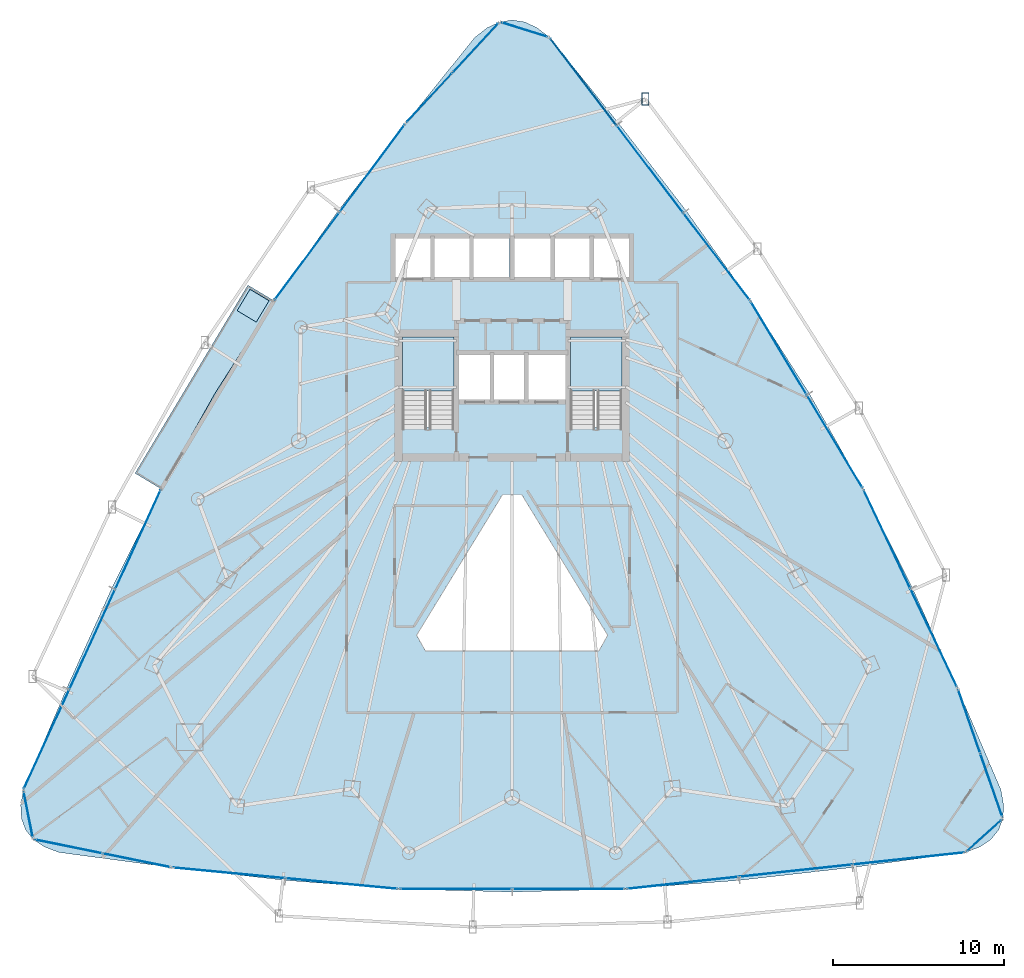
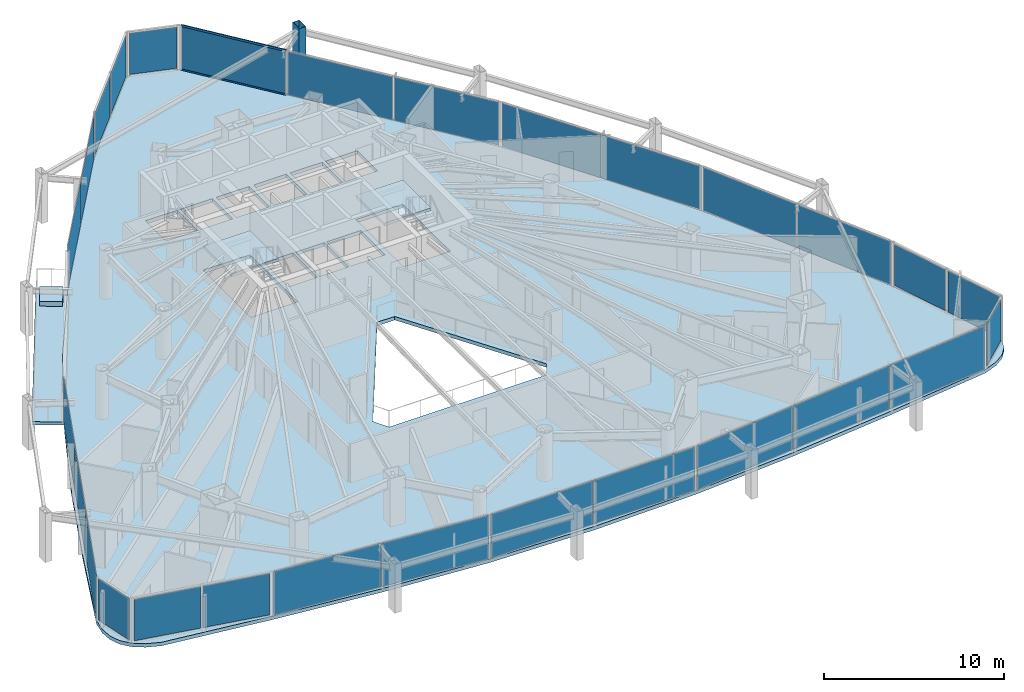
# One storey, part 31 of 38: 28 plates, 5 slabs, 3 members, 16 elements without a shape of their own.
"""IFC4 building model written with IfcOpenShell, lengths in metres."""

import ifcopenshell
import ifcopenshell.guid

model = None  # the IFC model being written
_history = None  # IfcOwnerHistory: only IFC2X3 demands one
_inside = {}  # id of a spatial element -> (the spatial element, [elements in it])
_under = {}  # id of a project, library or spatial element -> (it, [spatial elements below it])
_declared = {}  # id of a project -> (the project, [libraries it declares])
_typed = {}  # id of a type object -> (the type object, [elements of that type])
_made_of = {}  # id of a material, layer set ... -> (it, [elements and type objects made of it])


def new_model(schema):
    """Start an empty IFC model of exactly this schema.

    Asked for "IFC4X3", IfcOpenShell would pick the latest addendum, in which some entities
    have other attributes; the version numbers below select the first issue.
    IFC2X3 requires an IfcOwnerHistory on every rooted entity: one is made here for all.
    """
    global model, _history
    if schema == "IFC4X3":
        model = ifcopenshell.file(schema_version=(4, 3, 0, 0))
    else:
        model = ifcopenshell.file(schema=schema)
    _inside.clear()
    _under.clear()
    _declared.clear()
    _typed.clear()
    _made_of.clear()
    _history = None
    if model.schema == "IFC2X3":
        org = make("IfcOrganization", Name="unknown")
        user = make(
            "IfcPersonAndOrganization",
            ThePerson=make("IfcPerson", FamilyName="unknown"),
            TheOrganization=org,
        )
        app = make(
            "IfcApplication",
            ApplicationDeveloper=org,
            Version="unknown",
            ApplicationFullName="unknown",
            ApplicationIdentifier="unknown",
        )
        _history = make(
            "IfcOwnerHistory",
            OwningUser=user,
            OwningApplication=app,
            ChangeAction="ADDED",
            CreationDate=0,
        )
    return model


def make(cls, **values):
    """One entity of the class cls with the attributes given. An attribute that is None is left unset."""
    return model.create_entity(
        cls, **{name: value for name, value in values.items() if value is not None}
    )


def rooted(cls, **values):
    """An entity with a GlobalId (a new one), such as an element, a storey or a relation."""
    return make(cls, GlobalId=ifcopenshell.guid.new(), OwnerHistory=_history, **values)


def si_unit(unit_type, name, prefix=None):
    """IfcSIUnit, for example si_unit("LENGTHUNIT", "METRE", prefix="MILLI")."""
    return make("IfcSIUnit", UnitType=unit_type, Prefix=prefix, Name=name)


def assignment(units):
    """IfcUnitAssignment: the units of a project."""
    return None if units is None else make("IfcUnitAssignment", Units=units)


def point(xyz):
    """IfcCartesianPoint."""
    return None if xyz is None else make("IfcCartesianPoint", Coordinates=xyz)


def direction(xyz):
    """IfcDirection."""
    return None if xyz is None else make("IfcDirection", DirectionRatios=xyz)


def frame(location, z_axis=None, x_axis=None):
    """IfcAxis2Placement3D, a coordinate frame: its origin and axes. An axis left out is left unset."""
    return make(
        "IfcAxis2Placement3D",
        Location=point(location),
        Axis=direction(z_axis),
        RefDirection=direction(x_axis),
    )


def frame_2d(location, x_axis=None):
    """IfcAxis2Placement2D, a coordinate frame in the plane: its origin and x axis."""
    return make(
        "IfcAxis2Placement2D", Location=point(location), RefDirection=direction(x_axis)
    )


def origin():
    """The frame at (0, 0, 0) with its axes left unset."""
    return frame((0.0, 0.0, 0.0))


def origin_2d():
    """The frame at (0, 0) in the plane with its x axis left unset."""
    return frame_2d((0.0, 0.0))


def place(relative_to, where):
    """IfcLocalPlacement: puts the frame where relative to a parent placement (None: the world)."""
    return make(
        "IfcLocalPlacement", PlacementRelTo=relative_to, RelativePlacement=where
    )


def context(
    kind, dimensions, precision=None, world=None, true_north=None, identifier=None
):
    """IfcGeometricRepresentationContext, for example the 3D "Model" context."""
    return make(
        "IfcGeometricRepresentationContext",
        ContextIdentifier=identifier,
        ContextType=kind,
        CoordinateSpaceDimension=dimensions,
        Precision=precision,
        WorldCoordinateSystem=world,
        TrueNorth=true_north,
    )


def subcontext(parent, identifier, kind, view, scale=None):
    """IfcGeometricRepresentationSubContext, for example "Body" below "Model"."""
    return make(
        "IfcGeometricRepresentationSubContext",
        ContextIdentifier=identifier,
        ContextType=kind,
        ParentContext=parent,
        TargetScale=scale,
        TargetView=view,
    )


def project(units=None, contexts=None):
    """IfcProject with its units and contexts."""
    return rooted(
        "IfcProject",
        Name="project",
        RepresentationContexts=contexts,
        UnitsInContext=assignment(units),
    )


def spatial(cls, under=None, at=None, **own):
    """A site, building, storey or space (cls), placed at a placement, below another one or the project."""
    s = rooted(cls, ObjectPlacement=at, **own)
    if under is not None:
        _under.setdefault(under.id(), (under, []))[1].append(s)
    return s


def polyline(points):
    """IfcPolyline through the points."""
    return make("IfcPolyline", Points=[point(p) for p in points])


def profile(cls, at=None, kind="AREA", **sizes):
    """A parametric profile (cls). Its sizes go by their IFC names, for example OverallWidth=200.0."""
    return make(cls, ProfileType=kind, Position=at, **sizes)


def rectangle(**sizes):
    """IfcRectangleProfileDef."""
    return profile("IfcRectangleProfileDef", **sizes)


def hollow_rectangle(**sizes):
    """IfcRectangleHollowProfileDef."""
    return profile("IfcRectangleHollowProfileDef", **sizes)


def outline(outer, holes=None, kind="AREA"):
    """IfcArbitraryClosedProfileDef: a profile drawn as a closed curve; with holes, ...WithVoids."""
    if holes is None:
        return make("IfcArbitraryClosedProfileDef", ProfileType=kind, OuterCurve=outer)
    return make(
        "IfcArbitraryProfileDefWithVoids",
        ProfileType=kind,
        OuterCurve=outer,
        InnerCurves=holes,
    )


def extrude(swept, where, along, depth):
    """IfcExtrudedAreaSolid: the profile swept, set in the frame where, extruded along a direction by depth."""
    return make(
        "IfcExtrudedAreaSolid",
        SweptArea=swept,
        Position=where,
        ExtrudedDirection=direction(along),
        Depth=depth,
    )


def shape(context_of_items, identifier, shape_type, items):
    """IfcShapeRepresentation: the items that make up one representation, for example the "Body"."""
    return make(
        "IfcShapeRepresentation",
        ContextOfItems=context_of_items,
        RepresentationIdentifier=identifier,
        RepresentationType=shape_type,
        Items=items,
    )


def material(Name=None, Category=None):
    """IfcMaterial."""
    return make("IfcMaterial", Name=Name, Category=Category)


def layer(
    of_material, thickness, ventilated=None, Name=None, Category=None, Priority=None
):
    """IfcMaterialLayer: one layer of a wall or slab, of a material (None: an air gap)."""
    return make(
        "IfcMaterialLayer",
        Material=of_material,
        LayerThickness=thickness,
        IsVentilated=ventilated,
        Name=Name,
        Category=Category,
        Priority=Priority,
    )


def layer_set(layers, Name=None):
    """IfcMaterialLayerSet."""
    return make("IfcMaterialLayerSet", MaterialLayers=layers, LayerSetName=Name)


def material_profile(
    of_material, cross_section, Name=None, Category=None, Priority=None
):
    """IfcMaterialProfile: a cross section and its material."""
    return make(
        "IfcMaterialProfile",
        Name=Name,
        Material=of_material,
        Profile=cross_section,
        Priority=Priority,
        Category=Category,
    )


def profile_set(profiles, Name=None, composite=None):
    """IfcMaterialProfileSet."""
    return make(
        "IfcMaterialProfileSet",
        Name=Name,
        MaterialProfiles=profiles,
        CompositeProfile=composite,
    )


def made_of(thing, what):
    """Note that an element or type object is made of a material, layer set ...; save() writes the relation."""
    if what is not None:
        _made_of.setdefault(what.id(), (what, []))[1].append(thing)
    return thing


def type_object(cls, material=None, **own):
    """A type object (cls), such as IfcWallType, which elements share."""
    return made_of(rooted(cls, **own), material)


def element(
    cls,
    number,
    at=None,
    inside=None,
    cuts=None,
    type_object=None,
    material=None,
    context=None,
    identifier="Body",
    shape_type=None,
    held_by="IfcProductDefinitionShape",
    body=None,
    shapes=None,
    **own,
):
    """One element of the class cls, such as IfcWall. Its Tag is "e" and its number.

    at: its placement. inside: the storey or other place that contains it. cuts: it is an
    opening in that element (IfcRelVoidsElement). A single representation is given by context,
    identifier, shape_type and body (its items); several are given by shapes. held_by: the class
    of the entity that holds the representations. save() writes the other relations.
    """
    e = rooted(cls, Tag="e%d" % number, ObjectPlacement=at, **own)
    if body is not None:
        shapes = [shape(context, identifier, shape_type, body)]
    if shapes is not None:
        e.Representation = make(held_by, Representations=shapes)
    if inside is not None:
        _inside.setdefault(inside.id(), (inside, []))[1].append(e)
    if cuts is not None:
        rooted(
            "IfcRelVoidsElement", RelatingBuildingElement=cuts, RelatedOpeningElement=e
        )
    if type_object is not None:
        _typed.setdefault(type_object.id(), (type_object, []))[1].append(e)
    return made_of(e, material)


def aggregate(whole, parts):
    """IfcRelAggregates: a whole, such as a stair, and the parts it consists of."""
    return rooted("IfcRelAggregates", RelatingObject=whole, RelatedObjects=parts)


def save(model, path):
    """Write the relations noted so far, then the file.

    IfcRelAggregates (storeys below a building ...), IfcRelContainedInSpatialStructure (elements
    in a storey), IfcRelDefinesByType, IfcRelAssociatesMaterial and IfcRelDeclares: one each for
    every whole, place, type object, material and project.
    """
    for whole, parts in _under.values():
        aggregate(whole, parts)
    for where, things in _inside.values():
        rooted(
            "IfcRelContainedInSpatialStructure",
            RelatedElements=things,
            RelatingStructure=where,
        )
    for kind, things in _typed.values():
        rooted("IfcRelDefinesByType", RelatedObjects=things, RelatingType=kind)
    for what, things in _made_of.values():
        rooted("IfcRelAssociatesMaterial", RelatedObjects=things, RelatingMaterial=what)
    for by, libraries in _declared.values():
        rooted("IfcRelDeclares", RelatingContext=by, RelatedDefinitions=libraries)
    model.write(path)


model = new_model("IFC4")

# Units and contexts
model_context = context("Model", 3, precision=1e-05, world=origin(), true_north=direction((0.0, 1.0)))
body_context = subcontext(model_context, "Body", "Model", "MODEL_VIEW")
ifc_project = project(units=[si_unit("LENGTHUNIT", "METRE"), si_unit("AREAUNIT", "SQUARE_METRE"), si_unit("VOLUMEUNIT", "CUBIC_METRE"), si_unit("PLANEANGLEUNIT", "RADIAN"), si_unit("MASSUNIT", "GRAM", prefix="KILO")], contexts=[model_context])

# Site, building, storey
site_placement = place(None, origin())
site = spatial("IfcSite", under=ifc_project, at=site_placement, CompositionType="ELEMENT")
building_placement = place(site_placement, origin())
building = spatial("IfcBuilding", under=site, at=building_placement, Name="Orvanel Arch Residences", CompositionType="ELEMENT")
storey_placement = place(building_placement, frame((0.0, 0.0, 43.39990234375)))
storey = spatial("IfcBuildingStorey", under=building, at=storey_placement, Name="L11", CompositionType="ELEMENT", Elevation=43.39990234375)

# Member
ifc_material_1 = material(Name="Structural steel AS/NZS 3678 Grade 350", Category="steel")
ifc_material_profile_1 = material_profile(ifc_material_1, hollow_rectangle(XDim=0.419921875, YDim=0.719970703125, WallThickness=0.02490234375, at=origin_2d()), Name="RHS720x420x25")
ifc_profile_set_1 = profile_set([ifc_material_profile_1], Name="Structural steel AS/NZS 3678 Grade 350")
member_type_1 = type_object("IfcMemberType", Name="CH-720RHS-EXT", PredefinedType="CHORD", material=ifc_profile_set_1)
member_1_placement = place(storey_placement, frame((40.76806640625, 47.58203125, 0.0), z_axis=(0.0, 0.0, 1.0), x_axis=(1.0, 0.0, 0.0)))
element("IfcMember", 1, at=member_1_placement, inside=storey, type_object=member_type_1, Name="L11 Outer Perimeter Frame Post 12", PredefinedType="CHORD", context=body_context, shape_type="SweptSolid", body=[
    extrude(hollow_rectangle(XDim=0.419921875, YDim=0.719970703125, WallThickness=0.02490234375, at=origin_2d()), origin(), (0.0, 0.0, 1.0), 3.300048828125),
])

# Curtain wall, members
ifc_material_2 = material(Name="Bronze-anodised aluminium AA6063-T6", Category="aluminium")
ifc_layer_1 = layer(ifc_material_2, 0.179931640625)
ifc_layer_set_1 = layer_set([ifc_layer_1], Name="Bronze-anodised aluminium AA6063-T6")
curtain_wall_type_1 = type_object("IfcCurtainWallType", Name="CW2-LOW-SYS", PredefinedType="NOTDEFINED", material=ifc_layer_set_1)
curtain_wall_1_placement = place(storey_placement, origin())
curtain_wall_1 = element("IfcCurtainWall", 2, at=curtain_wall_1_placement, inside=storey, type_object=curtain_wall_type_1, Name="L11 CW2-LOW-SYS Unitised Curtain Wall", PredefinedType="NOTDEFINED")
ifc_material_profile_2 = material_profile(ifc_material_2, hollow_rectangle(XDim=0.06005859375, YDim=0.135009765625, WallThickness=0.00390625, at=origin_2d()), Name="ALU135x60x4")
ifc_profile_set_2 = profile_set([ifc_material_profile_2], Name="Bronze-anodised aluminium AA6063-T6")
member_type_2 = type_object("IfcMemberType", Name="TRN-135x60", PredefinedType="USERDEFINED", material=ifc_profile_set_2)
member_2_placement = place(storey_placement, frame((39.068115234375, 46.072509765625, 0.030029296875), z_axis=(-0.606152651564, 0.795348328094, 0.0), x_axis=(-0.795348328094, -0.606152651564, 0.0)))
member_2 = element("IfcMember", 3, at=member_2_placement, type_object=member_type_2, Name="CW-S2 transom 3.1", ObjectType="TRANSOM", PredefinedType="USERDEFINED", context=body_context, shape_type="SweptSolid", body=[
    extrude(hollow_rectangle(XDim=0.06005859375, YDim=0.135009765625, WallThickness=0.00390625, at=origin_2d()), origin(), (0.0, 0.0, 1.0), 6.31787109375),
])
member_3_placement = place(storey_placement, frame((39.068115234375, 46.072509765625, 3.030029296875), z_axis=(-0.606152651564, 0.795348328094, 0.0), x_axis=(-0.795348328094, -0.606152651564, 0.0)))
member_3 = element("IfcMember", 4, at=member_3_placement, type_object=member_type_2, Name="CW-S2 transom 3.2", ObjectType="TRANSOM", PredefinedType="USERDEFINED", context=body_context, shape_type="SweptSolid", body=[
    extrude(hollow_rectangle(XDim=0.06005859375, YDim=0.135009765625, WallThickness=0.00390625, at=origin_2d()), origin(), (0.0, 0.0, 1.0), 6.31787109375),
])

# Curtain wall, plates
curtain_wall_2_placement = place(storey_placement, origin())
curtain_wall_2 = element("IfcCurtainWall", 5, at=curtain_wall_2_placement, inside=storey, type_object=curtain_wall_type_1, Name="L11 CW2-LOW-SYS Unitised Curtain Wall", PredefinedType="NOTDEFINED")
ifc_material_3 = material(Name="Double-glazed solar-control low-E safety glass", Category="glass")
ifc_layer_2 = layer(ifc_material_3, 0.028076171875)
ifc_layer_set_2 = layer_set([ifc_layer_2], Name="Double-glazed solar-control low-E safety glass")
plate_type_1 = type_object("IfcPlateType", Name="PNL-GLZ-28", PredefinedType="CURTAIN_PANEL", material=ifc_layer_set_2)
plate_1_placement = place(storey_placement, frame((24.8369140625, 43.53515625, 0.06005859375), z_axis=(0.0, 0.0, 1.0), x_axis=(-0.595483189714, -0.803367768067, 0.0)))
plate_1 = element("IfcPlate", 6, at=plate_1_placement, type_object=plate_type_1, Name="CW-S2 panel 1.1", PredefinedType="CURTAIN_PANEL", context=body_context, shape_type="SweptSolid", body=[
    extrude(rectangle(XDim=6.302490234375, YDim=0.028076171875, at=origin_2d()), origin(), (0.0, 0.0, 1.0), 2.93994140625),
])
plate_2_placement = place(storey_placement, frame((21.042236328125, 38.415771484375, 0.06005859375), z_axis=(0.0, 0.0, 1.0), x_axis=(-0.595483189714, -0.803367768067, 0.0)))
plate_2 = element("IfcPlate", 7, at=plate_2_placement, type_object=plate_type_1, Name="CW-S2 panel 2.1", PredefinedType="CURTAIN_PANEL", context=body_context, shape_type="SweptSolid", body=[
    extrude(rectangle(XDim=6.302490234375, YDim=0.028076171875, at=origin_2d()), origin(), (0.0, 0.0, 1.0), 2.93994140625),
])
aggregate(curtain_wall_2, [plate_1, plate_2])

curtain_wall_3_placement = place(storey_placement, origin())
curtain_wall_3 = element("IfcCurtainWall", 8, at=curtain_wall_3_placement, inside=storey, type_object=curtain_wall_type_1, Name="L11 CW2-LOW-SYS Unitised Curtain Wall", PredefinedType="NOTDEFINED")
plate_3_placement = place(storey_placement, frame((11.179443359375, 21.88720703125, 0.06005859375), z_axis=(0.0, 0.0, 1.0), x_axis=(-0.416374131092, -0.909193369398, 0.0)))
plate_3 = element("IfcPlate", 9, at=plate_3_placement, type_object=plate_type_1, Name="CW-S2 panel 1.1", PredefinedType="CURTAIN_PANEL", context=body_context, shape_type="SweptSolid", body=[
    extrude(rectangle(XDim=6.31787109375, YDim=0.028076171875, at=origin_2d()), origin(), (0.0, 0.0, 1.0), 2.93994140625),
])
plate_4_placement = place(storey_placement, frame((8.512451171875, 16.0634765625, 0.06005859375), z_axis=(0.0, 0.0, 1.0), x_axis=(-0.416374131092, -0.909193369398, 0.0)))
plate_4 = element("IfcPlate", 10, at=plate_4_placement, type_object=plate_type_1, Name="CW-S2 panel 2.1", PredefinedType="CURTAIN_PANEL", context=body_context, shape_type="SweptSolid", body=[
    extrude(rectangle(XDim=6.35302734375, YDim=0.028076171875, at=origin_2d()), origin(), (0.0, 0.0, 1.0), 2.93994140625),
])
plate_5_placement = place(storey_placement, frame((5.845458984375, 10.23974609375, 0.06005859375), z_axis=(0.0, 0.0, 1.0), x_axis=(-0.416374131092, -0.909193369398, 0.0)))
plate_5 = element("IfcPlate", 11, at=plate_5_placement, type_object=plate_type_1, Name="CW-S2 panel 3.1", PredefinedType="CURTAIN_PANEL", context=body_context, shape_type="SweptSolid", body=[
    extrude(rectangle(XDim=6.31787109375, YDim=0.028076171875, at=origin_2d()), origin(), (0.0, 0.0, 1.0), 2.93994140625),
])
aggregate(curtain_wall_3, [plate_3, plate_4, plate_5])

curtain_wall_4_placement = place(storey_placement, origin())
curtain_wall_4 = element("IfcCurtainWall", 12, at=curtain_wall_4_placement, inside=storey, type_object=curtain_wall_type_1, Name="L11 CW2-LOW-SYS Unitised Curtain Wall", PredefinedType="NOTDEFINED")
plate_6_placement = place(storey_placement, frame((16.499267578125, 2.4443359375, 0.06005859375), z_axis=(0.0, 0.0, 1.0), x_axis=(0.995548939355, -0.094246004419, 0.0)))
plate_6 = element("IfcPlate", 13, at=plate_6_placement, type_object=plate_type_1, Name="CW-S2 panel 1.1", PredefinedType="CURTAIN_PANEL", context=body_context, shape_type="SweptSolid", body=[
    extrude(rectangle(XDim=6.515869140625, YDim=0.028076171875, at=origin_2d()), origin(), (0.0, 0.0, 1.0), 2.93994140625),
])
plate_7_placement = place(storey_placement, frame((23.055908203125, 1.82373046875, 0.06005859375), z_axis=(0.0, 0.0, 1.0), x_axis=(0.995548939355, -0.094246004419, 0.0)))
plate_7 = element("IfcPlate", 14, at=plate_7_placement, type_object=plate_type_1, Name="CW-S2 panel 2.1", PredefinedType="CURTAIN_PANEL", context=body_context, shape_type="SweptSolid", body=[
    extrude(rectangle(XDim=6.515869140625, YDim=0.028076171875, at=origin_2d()), origin(), (0.0, 0.0, 1.0), 2.93994140625),
])
aggregate(curtain_wall_4, [plate_6, plate_7])

curtain_wall_5_placement = place(storey_placement, origin())
curtain_wall_5 = element("IfcCurtainWall", 15, at=curtain_wall_5_placement, inside=storey, type_object=curtain_wall_type_1, Name="L11 CW2-LOW-SYS Unitised Curtain Wall", PredefinedType="NOTDEFINED")
plate_8_placement = place(storey_placement, frame((29.721923828125, 1.508056640625, 0.06005859375), z_axis=(0.0, 0.0, 1.0), x_axis=(1.0, 0.0, 0.0)))
plate_8 = element("IfcPlate", 16, at=plate_8_placement, type_object=plate_type_1, Name="CW-S2 panel 1.1", PredefinedType="CURTAIN_PANEL", context=body_context, shape_type="SweptSolid", body=[
    extrude(rectangle(XDim=6.486083984375, YDim=0.028076171875, at=origin_2d()), origin(), (0.0, 0.0, 1.0), 2.93994140625),
])
plate_9_placement = place(storey_placement, frame((36.278076171875, 1.508056640625, 0.06005859375), z_axis=(0.0, 0.0, 1.0), x_axis=(1.0, 0.0, 0.0)))
plate_9 = element("IfcPlate", 17, at=plate_9_placement, type_object=plate_type_1, Name="CW-S2 panel 2.1", PredefinedType="CURTAIN_PANEL", context=body_context, shape_type="SweptSolid", body=[
    extrude(rectangle(XDim=6.486083984375, YDim=0.028076171875, at=origin_2d()), origin(), (0.0, 0.0, 1.0), 2.93994140625),
])
aggregate(curtain_wall_5, [plate_8, plate_9])

curtain_wall_6_placement = place(storey_placement, origin())
curtain_wall_6 = element("IfcCurtainWall", 18, at=curtain_wall_6_placement, inside=storey, type_object=curtain_wall_type_1, Name="L11 CW2-LOW-SYS Unitised Curtain Wall", PredefinedType="NOTDEFINED")
plate_10_placement = place(storey_placement, frame((42.947509765625, 1.867431640625, 0.06005859375), z_axis=(0.0, 0.0, 1.0), x_axis=(0.994243980851, 0.107139659052, 0.0)))
plate_10 = element("IfcPlate", 19, at=plate_10_placement, type_object=plate_type_1, Name="CW-S2 panel 1.1", PredefinedType="CURTAIN_PANEL", context=body_context, shape_type="SweptSolid", body=[
    extrude(rectangle(XDim=6.53125, YDim=0.028076171875, at=origin_2d()), origin(), (0.0, 0.0, 1.0), 2.93994140625),
])
plate_11_placement = place(storey_placement, frame((49.528076171875, 2.576416015625, 0.06005859375), z_axis=(0.0, 0.0, 1.0), x_axis=(0.994243980851, 0.107139659052, 0.0)))
plate_11 = element("IfcPlate", 20, at=plate_11_placement, type_object=plate_type_1, Name="CW-S2 panel 2.1", PredefinedType="CURTAIN_PANEL", context=body_context, shape_type="SweptSolid", body=[
    extrude(rectangle(XDim=6.566162109375, YDim=0.028076171875, at=origin_2d()), origin(), (0.0, 0.0, 1.0), 2.93994140625),
])
plate_12_placement = place(storey_placement, frame((56.108642578125, 3.28564453125, 0.06005859375), z_axis=(0.0, 0.0, 1.0), x_axis=(0.994243980851, 0.107139659052, 0.0)))
plate_12 = element("IfcPlate", 21, at=plate_12_placement, type_object=plate_type_1, Name="CW-S2 panel 3.1", PredefinedType="CURTAIN_PANEL", context=body_context, shape_type="SweptSolid", body=[
    extrude(rectangle(XDim=6.53125, YDim=0.028076171875, at=origin_2d()), origin(), (0.0, 0.0, 1.0), 2.93994140625),
])
aggregate(curtain_wall_6, [plate_10, plate_11, plate_12])

curtain_wall_7_placement = place(storey_placement, origin())
curtain_wall_7 = element("IfcCurtainWall", 22, at=curtain_wall_7_placement, inside=storey, type_object=curtain_wall_type_1, Name="L11 CW2-LOW-SYS Unitised Curtain Wall", PredefinedType="NOTDEFINED")
plate_13_placement = place(storey_placement, frame((57.5869140625, 16.154541015625, 0.06005859375), z_axis=(0.0, 0.0, 1.0), x_axis=(-0.42841841081, 0.903580469731, 0.0)))
plate_13 = element("IfcPlate", 23, at=plate_13_placement, type_object=plate_type_1, Name="CW-S2 panel 1.1", PredefinedType="CURTAIN_PANEL", context=body_context, shape_type="SweptSolid", body=[
    extrude(rectangle(XDim=6.30224609375, YDim=0.028076171875, at=origin_2d()), origin(), (0.0, 0.0, 1.0), 2.93994140625),
])
plate_14_placement = place(storey_placement, frame((54.85693359375, 21.912353515625, 0.06005859375), z_axis=(0.0, 0.0, 1.0), x_axis=(-0.42841841081, 0.903580469731, 0.0)))
plate_14 = element("IfcPlate", 24, at=plate_14_placement, type_object=plate_type_1, Name="CW-S2 panel 2.1", PredefinedType="CURTAIN_PANEL", context=body_context, shape_type="SweptSolid", body=[
    extrude(rectangle(XDim=6.30224609375, YDim=0.028076171875, at=origin_2d()), origin(), (0.0, 0.0, 1.0), 2.93994140625),
])
aggregate(curtain_wall_7, [plate_13, plate_14])

curtain_wall_8_placement = place(storey_placement, origin())
curtain_wall_8 = element("IfcCurtainWall", 25, at=curtain_wall_8_placement, inside=storey, type_object=curtain_wall_type_1, Name="L11 CW2-LOW-SYS Unitised Curtain Wall", PredefinedType="NOTDEFINED")
plate_15_placement = place(storey_placement, frame((51.80908203125, 27.607177734375, 0.06005859375), z_axis=(0.0, 0.0, 1.0), x_axis=(-0.514368910263, 0.857569020053, 0.0)))
plate_15 = element("IfcPlate", 26, at=plate_15_placement, type_object=plate_type_1, Name="CW-S2 panel 1.1", PredefinedType="CURTAIN_PANEL", context=body_context, shape_type="SweptSolid", body=[
    extrude(rectangle(XDim=6.271728515625, YDim=0.028076171875, at=origin_2d()), origin(), (0.0, 0.0, 1.0), 2.93994140625),
])
plate_16_placement = place(storey_placement, frame((48.547119140625, 33.045654296875, 0.06005859375), z_axis=(0.0, 0.0, 1.0), x_axis=(-0.514368910263, 0.857569020053, 0.0)))
plate_16 = element("IfcPlate", 27, at=plate_16_placement, type_object=plate_type_1, Name="CW-S2 panel 2.1", PredefinedType="CURTAIN_PANEL", context=body_context, shape_type="SweptSolid", body=[
    extrude(rectangle(XDim=6.271728515625, YDim=0.028076171875, at=origin_2d()), origin(), (0.0, 0.0, 1.0), 2.93994140625),
])
aggregate(curtain_wall_8, [plate_15, plate_16])

# Plate
plate_17_placement = place(storey_placement, frame((44.918701171875, 38.39599609375, 0.06005859375), z_axis=(0.0, 0.0, 1.0), x_axis=(-0.606168299009, 0.795336402585, 0.0)))
plate_17 = element("IfcPlate", 28, at=plate_17_placement, type_object=plate_type_1, Name="CW-S2 panel 1.1", PredefinedType="CURTAIN_PANEL", context=body_context, shape_type="SweptSolid", body=[
    extrude(rectangle(XDim=6.31787109375, YDim=0.028076171875, at=origin_2d()), origin(), (0.0, 0.0, 1.0), 2.93994140625),
])

plate_18_placement = place(storey_placement, frame((41.035888671875, 43.490478515625, 0.06005859375), z_axis=(0.0, 0.0, 1.0), x_axis=(-0.606168299009, 0.795336402585, 0.0)))
plate_18 = element("IfcPlate", 29, at=plate_18_placement, type_object=plate_type_1, Name="CW-S2 panel 2.1", PredefinedType="CURTAIN_PANEL", context=body_context, shape_type="SweptSolid", body=[
    extrude(rectangle(XDim=6.352783203125, YDim=0.028076171875, at=origin_2d()), origin(), (0.0, 0.0, 1.0), 2.93994140625),
])

plate_19_placement = place(storey_placement, frame((37.1533203125, 48.5849609375, 0.06005859375), z_axis=(0.0, 0.0, 1.0), x_axis=(-0.606168299009, 0.795336402585, 0.0)))
plate_19 = element("IfcPlate", 30, at=plate_19_placement, type_object=plate_type_1, Name="CW-S2 panel 3.1", PredefinedType="CURTAIN_PANEL", context=body_context, shape_type="SweptSolid", body=[
    extrude(rectangle(XDim=6.31787109375, YDim=0.028076171875, at=origin_2d()), origin(), (0.0, 0.0, 1.0), 2.93994140625),
])

aggregate(curtain_wall_1, [plate_17, plate_18, member_2, member_3, plate_19])

# Curtain wall, plate
ifc_layer_3 = layer(ifc_material_2, 0.18994140625)
ifc_layer_set_3 = layer_set([ifc_layer_3], Name="Bronze-anodised aluminium AA6063-T6")
curtain_wall_type_2 = type_object("IfcCurtainWallType", Name="CW5-CRN-SYS", PredefinedType="NOTDEFINED", material=ifc_layer_set_3)
curtain_wall_9_placement = place(storey_placement, origin())
curtain_wall_9 = element("IfcCurtainWall", 31, at=curtain_wall_9_placement, inside=storey, type_object=curtain_wall_type_2, Name="L11 CW5-CRN-SYS Unitised Curtain Wall", PredefinedType="NOTDEFINED")
ifc_layer_4 = layer(ifc_material_3, 0.031982421875)
ifc_layer_set_4 = layer_set([ifc_layer_4], Name="Double-glazed solar-control low-E safety glass")
plate_type_2 = type_object("IfcPlateType", Name="PNL-GLZ-32", PredefinedType="CURTAIN_PANEL", material=ifc_layer_set_4)
plate_20_placement = place(storey_placement, frame((33.72802734375, 51.6220703125, 0.1298828125), z_axis=(0.0, 0.0, 1.0), x_axis=(-0.954869341212, 0.297026162506, 0.0)))
plate_20 = element("IfcPlate", 32, at=plate_20_placement, type_object=plate_type_2, Name="CW-S5 panel 1.1", PredefinedType="CURTAIN_PANEL", context=body_context, shape_type="SweptSolid", body=[
    extrude(rectangle(XDim=2.709716796875, YDim=0.031982421875, at=origin_2d()), origin(), (0.0, 0.0, 1.0), 2.800048828125),
])
aggregate(curtain_wall_9, [plate_20])

# Curtain wall, plates
curtain_wall_10_placement = place(storey_placement, origin())
curtain_wall_10 = element("IfcCurtainWall", 33, at=curtain_wall_10_placement, inside=storey, type_object=curtain_wall_type_2, Name="L11 CW5-CRN-SYS Unitised Curtain Wall", PredefinedType="NOTDEFINED")
plate_21_placement = place(storey_placement, frame((30.86328125, 50.555908203125, 0.1298828125), z_axis=(0.0, 0.0, 1.0), x_axis=(-0.679974760262, -0.733235518375, 0.0)))
plate_21 = element("IfcPlate", 34, at=plate_21_placement, type_object=plate_type_2, Name="CW-S5 panel 1.1", PredefinedType="CURTAIN_PANEL", context=body_context, shape_type="SweptSolid", body=[
    extrude(rectangle(XDim=3.80224609375, YDim=0.031982421875, at=origin_2d()), origin(), (0.0, 0.0, 1.0), 2.800048828125),
])
plate_22_placement = place(storey_placement, frame((28.17578125, 47.657958984375, 0.1298828125), z_axis=(0.0, 0.0, 1.0), x_axis=(-0.679974760262, -0.733235518375, 0.0)))
plate_22 = element("IfcPlate", 35, at=plate_22_placement, type_object=plate_type_2, Name="CW-S5 panel 2.1", PredefinedType="CURTAIN_PANEL", context=body_context, shape_type="SweptSolid", body=[
    extrude(rectangle(XDim=3.80224609375, YDim=0.031982421875, at=origin_2d()), origin(), (0.0, 0.0, 1.0), 2.800048828125),
])
aggregate(curtain_wall_10, [plate_21, plate_22])

# Curtain wall, plate
curtain_wall_11_placement = place(storey_placement, origin())
curtain_wall_11 = element("IfcCurtainWall", 36, at=curtain_wall_11_placement, inside=storey, type_object=curtain_wall_type_2, Name="L11 CW5-CRN-SYS Unitised Curtain Wall", PredefinedType="NOTDEFINED")
plate_23_placement = place(storey_placement, frame((4.780029296875, 5.845947265625, 0.1298828125), z_axis=(0.0, 0.0, 1.0), x_axis=(0.195452010225, -0.980713266811, 0.0)))
plate_23 = element("IfcPlate", 37, at=plate_23_placement, type_object=plate_type_2, Name="CW-S5 panel 1.1", PredefinedType="CURTAIN_PANEL", context=body_context, shape_type="SweptSolid", body=[
    extrude(rectangle(XDim=2.595947265625, YDim=0.031982421875, at=origin_2d()), origin(), (0.0, 0.0, 1.0), 2.800048828125),
])
aggregate(curtain_wall_11, [plate_23])

# Curtain wall, plates
curtain_wall_12_placement = place(storey_placement, origin())
curtain_wall_12 = element("IfcCurtainWall", 38, at=curtain_wall_12_placement, inside=storey, type_object=curtain_wall_type_2, Name="L11 CW5-CRN-SYS Unitised Curtain Wall", PredefinedType="NOTDEFINED")
plate_24_placement = place(storey_placement, frame((7.138427734375, 3.985107421875, 0.1298828125), z_axis=(0.0, 0.0, 1.0), x_axis=(0.979963220769, -0.199178527808, 0.0)))
plate_24 = element("IfcPlate", 39, at=plate_24_placement, type_object=plate_type_2, Name="CW-S5 panel 1.1", PredefinedType="CURTAIN_PANEL", context=body_context, shape_type="SweptSolid", body=[
    extrude(rectangle(XDim=3.886962890625, YDim=0.031982421875, at=origin_2d()), origin(), (0.0, 0.0, 1.0), 2.800048828125),
])
plate_25_placement = place(storey_placement, frame((11.094482421875, 3.180908203125, 0.1298828125), z_axis=(0.0, 0.0, 1.0), x_axis=(0.979963220769, -0.199178527808, 0.0)))
plate_25 = element("IfcPlate", 40, at=plate_25_placement, type_object=plate_type_2, Name="CW-S5 panel 2.1", PredefinedType="CURTAIN_PANEL", context=body_context, shape_type="SweptSolid", body=[
    extrude(rectangle(XDim=3.886962890625, YDim=0.031982421875, at=origin_2d()), origin(), (0.0, 0.0, 1.0), 2.800048828125),
])
aggregate(curtain_wall_12, [plate_24, plate_25])

# Curtain wall, plate
curtain_wall_13_placement = place(storey_placement, origin())
curtain_wall_13 = element("IfcCurtainWall", 41, at=curtain_wall_13_placement, inside=storey, type_object=curtain_wall_type_2, Name="L11 CW5-CRN-SYS Unitised Curtain Wall", PredefinedType="NOTDEFINED")
plate_26_placement = place(storey_placement, frame((60.532470703125, 4.632080078125, 0.1298828125), z_axis=(0.0, 0.0, 1.0), x_axis=(0.740283535788, 0.672294791472, 0.0)))
plate_26 = element("IfcPlate", 42, at=plate_26_placement, type_object=plate_type_2, Name="CW-S5 panel 1.1", PredefinedType="CURTAIN_PANEL", context=body_context, shape_type="SweptSolid", body=[
    extrude(rectangle(XDim=2.59765625, YDim=0.031982421875, at=origin_2d()), origin(), (0.0, 0.0, 1.0), 2.800048828125),
])
aggregate(curtain_wall_13, [plate_26])

# Curtain wall, plates
curtain_wall_14_placement = place(storey_placement, origin())
curtain_wall_14 = element("IfcCurtainWall", 43, at=curtain_wall_14_placement, inside=storey, type_object=curtain_wall_type_2, Name="L11 CW5-CRN-SYS Unitised Curtain Wall", PredefinedType="NOTDEFINED")
plate_27_placement = place(storey_placement, frame((60.943115234375, 7.565673828125, 0.1298828125), z_axis=(0.0, 0.0, 1.0), x_axis=(-0.328220502288, 0.944601133748, 0.0)))
plate_27 = element("IfcPlate", 44, at=plate_27_placement, type_object=plate_type_2, Name="CW-S5 panel 1.1", PredefinedType="CURTAIN_PANEL", context=body_context, shape_type="SweptSolid", body=[
    extrude(rectangle(XDim=3.781494140625, YDim=0.031982421875, at=origin_2d()), origin(), (0.0, 0.0, 1.0), 2.800048828125),
])
plate_28_placement = place(storey_placement, frame((59.65283203125, 11.279296875, 0.1298828125), z_axis=(0.0, 0.0, 1.0), x_axis=(-0.328220502288, 0.944601133748, 0.0)))
plate_28 = element("IfcPlate", 45, at=plate_28_placement, type_object=plate_type_2, Name="CW-S5 panel 2.1", PredefinedType="CURTAIN_PANEL", context=body_context, shape_type="SweptSolid", body=[
    extrude(rectangle(XDim=3.781494140625, YDim=0.031982421875, at=origin_2d()), origin(), (0.0, 0.0, 1.0), 2.800048828125),
])
aggregate(curtain_wall_14, [plate_27, plate_28])

# Slab
ifc_material_4 = material(Name="Concrete N40 (40 MPa)", Category="concrete")
ifc_layer_5 = layer(ifc_material_4, 0.215087890625)
ifc_layer_set_5 = layer_set([ifc_layer_5], Name="Concrete N40 (40 MPa)")
slab_type_1 = type_object("IfcSlabType", Name="SLB-BAL-215", PredefinedType="FLOOR", material=ifc_layer_set_5)
slab_1_placement = place(storey_placement, frame((0.0, 0.0, -0.21484375)))
element("IfcSlab", 46, at=slab_1_placement, inside=storey, type_object=slab_type_1, Name="L11 Cantilevered Balcony Slab Face 1", PredefinedType="FLOOR", context=body_context, shape_type="SweptSolid", body=[
    extrude(outline(polyline([(17.5859375, 36.72802734375), (11.0048828125, 25.757080078125), (12.531982421875, 24.841064453125), (15.6708984375, 30.4169921875), (19.112060546875, 35.81201171875), (17.5859375, 36.72802734375)])), origin(), (0.0, 0.0, 1.0), 0.21484375),
])

# Stair, slab
ifc_material_5 = material(Name="Precast concrete N50 (50 MPa)", Category="concrete")
stair_type = type_object("IfcStairType", Name="STR-DOG-184", PredefinedType="USERDEFINED", material=ifc_material_5)
stair_1_placement = place(storey_placement, origin())
stair_1 = element("IfcStair", 47, at=stair_1_placement, inside=storey, type_object=stair_type, Name="L11 Fire-Isolated Core Exit Stair 1", ObjectType="TWO_RETURN_STAIR", PredefinedType="USERDEFINED")
ifc_layer_6 = layer(ifc_material_4, 0.199951171875)
ifc_layer_set_6 = layer_set([ifc_layer_6], Name="Concrete N40 (40 MPa)")
slab_type_2 = type_object("IfcSlabType", Name="SLB-LND-200", PredefinedType="LANDING", material=ifc_layer_set_6)
slab_2_placement = place(storey_placement, frame((0.0, 0.0, 1.4501953125)))
slab_2 = element("IfcSlab", 48, at=slab_2_placement, type_object=slab_type_2, Name="ST-1 landing 1", PredefinedType="LANDING", context=body_context, shape_type="SweptSolid", body=[
    extrude(outline(polyline([(29.60009765625, 30.56005859375), (29.60009765625, 33.699951171875), (26.60009765625, 33.699951171875), (26.60009765625, 30.56005859375), (29.60009765625, 30.56005859375)])), origin(), (0.0, 0.0, 1.0), 0.199951171875),
])
aggregate(stair_1, [slab_2])

stair_2_placement = place(storey_placement, origin())
stair_2 = element("IfcStair", 49, at=stair_2_placement, inside=storey, type_object=stair_type, Name="L11 Fire-Isolated Core Exit Stair 2", ObjectType="TWO_RETURN_STAIR", PredefinedType="USERDEFINED")
slab_3_placement = place(storey_placement, frame((0.0, 0.0, 1.4501953125)))
slab_3 = element("IfcSlab", 50, at=slab_3_placement, type_object=slab_type_2, Name="ST-2 landing 1", PredefinedType="LANDING", context=body_context, shape_type="SweptSolid", body=[
    extrude(outline(polyline([(39.39990234375, 30.56005859375), (39.39990234375, 33.699951171875), (36.39990234375, 33.699951171875), (36.39990234375, 30.56005859375), (39.39990234375, 30.56005859375)])), origin(), (0.0, 0.0, 1.0), 0.199951171875),
])
aggregate(stair_2, [slab_3])

# Slabs
ifc_material_6 = material(Name="Structural architectural precast concrete N40 (40 MPa) planter", Category="concrete")
ifc_layer_7 = layer(ifc_material_6, 0.320068359375)
ifc_layer_set_7 = layer_set([ifc_layer_7], Name="Structural architectural precast concrete N40 (40 MPa) planter")
slab_type_3 = type_object("IfcSlabType", Name="SLB-PLN-320", PredefinedType="USERDEFINED", material=ifc_layer_set_7)
slab_4_placement = place(storey_placement, origin())
element("IfcSlab", 51, at=slab_4_placement, inside=storey, type_object=slab_type_3, Name="L11 Balcony TREE PLANTER Face 1", ObjectType="PLANTER", PredefinedType="USERDEFINED", context=body_context, shape_type="SweptSolid", body=[
    extrude(outline(polyline([(17.7060546875, 36.48095703125), (16.9599609375, 35.237060546875), (18.074951171875, 34.569091796875), (18.821044921875, 35.81201171875), (17.7060546875, 36.48095703125)])), origin(), (0.0, 0.0, 1.0), 0.320068359375),
])
ifc_layer_8 = layer(ifc_material_4, 0.239990234375)
ifc_layer_set_8 = layer_set([ifc_layer_8], Name="Concrete N40 (40 MPa)")
slab_type_4 = type_object("IfcSlabType", Name="SLB-TYP-240", PredefinedType="FLOOR", material=ifc_layer_set_8)
slab_5_placement = place(storey_placement, frame((0.0, 0.0, -0.239990234375)))
element("IfcSlab", 52, at=slab_5_placement, inside=storey, type_object=slab_type_4, Name="L11 Tower Floor Slab", PredefinedType="FLOOR", context=body_context, shape_type="SweptSolid", body=[
    extrude(outline(polyline([(35.18408203125, 51.1689453125), (34.4560546875, 51.735107421875), (33.72802734375, 52.074951171875), (33.0, 52.18798828125), (32.27197265625, 52.074951171875), (31.5439453125, 51.735107421875), (30.81591796875, 51.1689453125), (26.76708984375, 46.138916015625), (22.8330078125, 41.0400390625), (19.112060546875, 35.81201171875), (15.6708984375, 30.4169921875), (12.531982421875, 24.841064453125), (9.6708984375, 19.097900390625), (7.02392578125, 13.22607421875), (4.492919921875, 7.285888671875), (4.3369140625, 6.39599609375), (4.3798828125, 5.618896484375), (4.6240234375, 4.9560546875), (5.06689453125, 4.406005859375), (5.7109375, 3.968994140625), (6.554931640625, 3.64501953125), (13.166015625, 2.760009765625), (19.777099609375, 2.010009765625), (26.388916015625, 1.508056640625), (33.0, 1.33203125), (39.611083984375, 1.508056640625), (46.222900390625, 2.010009765625), (52.833984375, 2.760009765625), (59.445068359375, 3.64501953125), (60.2890625, 3.968994140625), (60.93310546875, 4.406005859375), (61.3759765625, 4.9560546875), (61.6201171875, 5.618896484375), (61.6630859375, 6.39599609375), (61.507080078125, 7.285888671875), (58.97607421875, 13.22607421875), (56.3291015625, 19.097900390625), (53.468017578125, 24.841064453125), (50.3291015625, 30.4169921875), (46.887939453125, 35.81201171875), (43.1669921875, 41.0400390625), (39.23291015625, 46.138916015625), (35.18408203125, 51.1689453125)]), holes=[polyline([(26.60009765625, 28.429931640625), (26.60009765625, 33.699951171875), (29.60009765625, 33.699951171875), (29.60009765625, 28.429931640625), (26.60009765625, 28.429931640625)]), polyline([(36.39990234375, 28.429931640625), (36.39990234375, 33.699951171875), (39.39990234375, 33.699951171875), (39.39990234375, 28.429931640625), (36.39990234375, 28.429931640625)]), polyline([(29.89990234375, 32.64990234375), (31.75, 32.64990234375), (31.75, 29.949951171875), (29.89990234375, 29.949951171875), (29.89990234375, 32.64990234375)]), polyline([(31.89990234375, 32.64990234375), (33.75, 32.64990234375), (33.75, 29.949951171875), (31.89990234375, 29.949951171875), (31.89990234375, 32.64990234375)]), polyline([(33.89990234375, 32.64990234375), (36.10009765625, 32.64990234375), (36.10009765625, 29.949951171875), (33.89990234375, 29.949951171875), (33.89990234375, 32.64990234375)]), polyline([(26.199951171875, 39.449951171875), (28.25, 39.449951171875), (28.25, 37.199951171875), (26.199951171875, 37.199951171875), (26.199951171875, 39.449951171875)]), polyline([(37.75, 39.449951171875), (39.800048828125, 39.449951171875), (39.800048828125, 37.199951171875), (37.75, 37.199951171875), (37.75, 39.449951171875)]), polyline([(28.449951171875, 39.449951171875), (30.5, 39.449951171875), (30.5, 37.199951171875), (28.449951171875, 37.199951171875), (28.449951171875, 39.449951171875)]), polyline([(35.5, 39.449951171875), (37.550048828125, 39.449951171875), (37.550048828125, 37.199951171875), (35.5, 37.199951171875), (35.5, 39.449951171875)]), polyline([(30.75, 39.449951171875), (32.85009765625, 39.449951171875), (32.85009765625, 37.199951171875), (30.75, 37.199951171875), (30.75, 39.449951171875)]), polyline([(33.14990234375, 39.449951171875), (35.25, 39.449951171875), (35.25, 37.199951171875), (33.14990234375, 37.199951171875), (33.14990234375, 39.449951171875)]), polyline([(38.572998046875, 16.30810546875), (38.054931640625, 15.384033203125), (27.945068359375, 15.384033203125), (27.427001953125, 16.30810546875), (32.43505859375, 24.5009765625), (33.56494140625, 24.5009765625), (38.572998046875, 16.30810546875)])]), origin(), (0.0, 0.0, 1.0), 0.239990234375),
])

save(model, "model.ifc")
